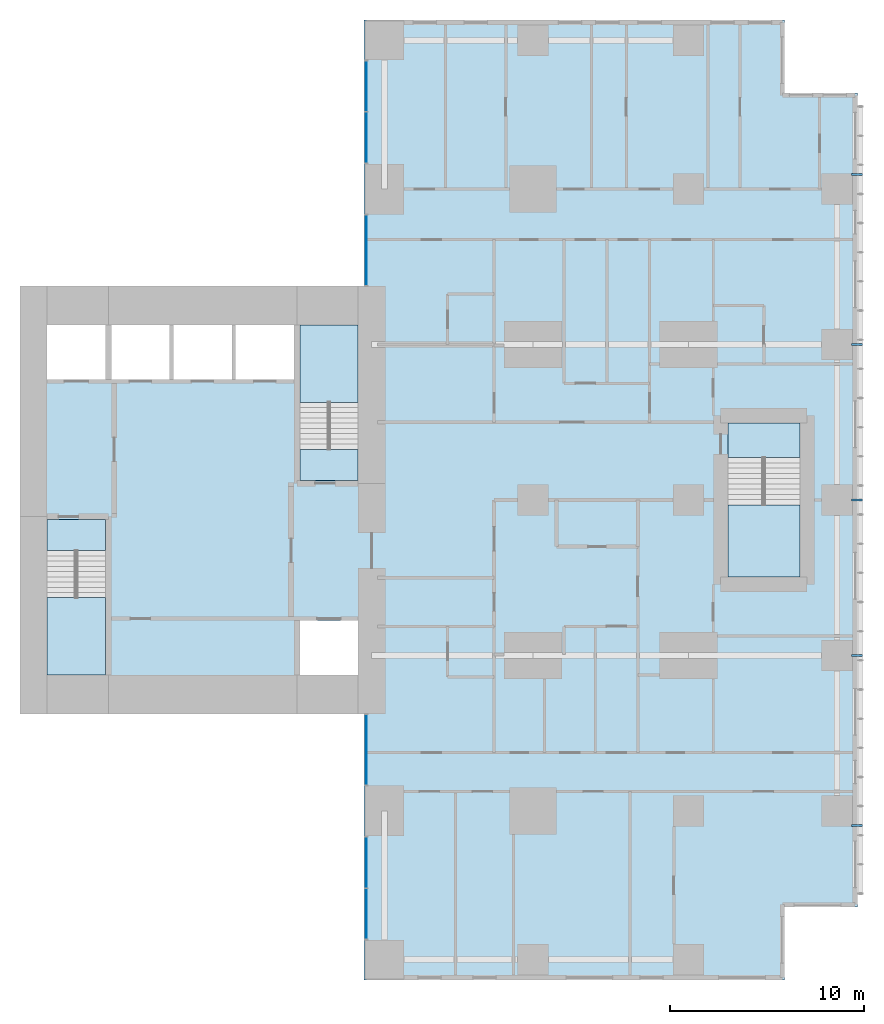
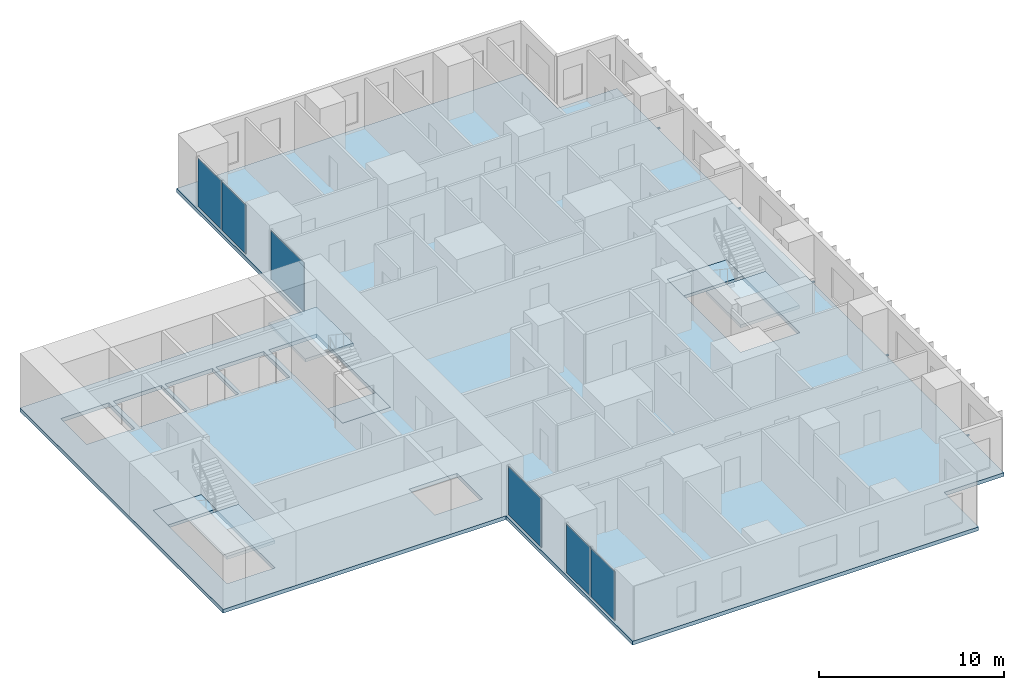
# One storey, part 4 of 12: 7 slabs, 6 plates, 5 members, 7 elements without a shape of their own.
"""IFC4 building model written with IfcOpenShell, lengths in metres."""

import ifcopenshell
import ifcopenshell.guid

model = None  # the IFC model being written
_history = None  # IfcOwnerHistory: only IFC2X3 demands one
_inside = {}  # id of a spatial element -> (the spatial element, [elements in it])
_under = {}  # id of a project, library or spatial element -> (it, [spatial elements below it])
_declared = {}  # id of a project -> (the project, [libraries it declares])
_typed = {}  # id of a type object -> (the type object, [elements of that type])
_made_of = {}  # id of a material, layer set ... -> (it, [elements and type objects made of it])


def new_model(schema):
    """Start an empty IFC model of exactly this schema.

    Asked for "IFC4X3", IfcOpenShell would pick the latest addendum, in which some entities
    have other attributes; the version numbers below select the first issue.
    IFC2X3 requires an IfcOwnerHistory on every rooted entity: one is made here for all.
    """
    global model, _history
    if schema == "IFC4X3":
        model = ifcopenshell.file(schema_version=(4, 3, 0, 0))
    else:
        model = ifcopenshell.file(schema=schema)
    _inside.clear()
    _under.clear()
    _declared.clear()
    _typed.clear()
    _made_of.clear()
    _history = None
    if model.schema == "IFC2X3":
        org = make("IfcOrganization", Name="unknown")
        user = make(
            "IfcPersonAndOrganization",
            ThePerson=make("IfcPerson", FamilyName="unknown"),
            TheOrganization=org,
        )
        app = make(
            "IfcApplication",
            ApplicationDeveloper=org,
            Version="unknown",
            ApplicationFullName="unknown",
            ApplicationIdentifier="unknown",
        )
        _history = make(
            "IfcOwnerHistory",
            OwningUser=user,
            OwningApplication=app,
            ChangeAction="ADDED",
            CreationDate=0,
        )
    return model


def make(cls, **values):
    """One entity of the class cls with the attributes given. An attribute that is None is left unset."""
    return model.create_entity(
        cls, **{name: value for name, value in values.items() if value is not None}
    )


def rooted(cls, **values):
    """An entity with a GlobalId (a new one), such as an element, a storey or a relation."""
    return make(cls, GlobalId=ifcopenshell.guid.new(), OwnerHistory=_history, **values)


def si_unit(unit_type, name, prefix=None):
    """IfcSIUnit, for example si_unit("LENGTHUNIT", "METRE", prefix="MILLI")."""
    return make("IfcSIUnit", UnitType=unit_type, Prefix=prefix, Name=name)


def assignment(units):
    """IfcUnitAssignment: the units of a project."""
    return None if units is None else make("IfcUnitAssignment", Units=units)


def point(xyz):
    """IfcCartesianPoint."""
    return None if xyz is None else make("IfcCartesianPoint", Coordinates=xyz)


def direction(xyz):
    """IfcDirection."""
    return None if xyz is None else make("IfcDirection", DirectionRatios=xyz)


def frame(location, z_axis=None, x_axis=None):
    """IfcAxis2Placement3D, a coordinate frame: its origin and axes. An axis left out is left unset."""
    return make(
        "IfcAxis2Placement3D",
        Location=point(location),
        Axis=direction(z_axis),
        RefDirection=direction(x_axis),
    )


def frame_2d(location, x_axis=None):
    """IfcAxis2Placement2D, a coordinate frame in the plane: its origin and x axis."""
    return make(
        "IfcAxis2Placement2D", Location=point(location), RefDirection=direction(x_axis)
    )


def origin():
    """The frame at (0, 0, 0) with its axes left unset."""
    return frame((0.0, 0.0, 0.0))


def origin_2d():
    """The frame at (0, 0) in the plane with its x axis left unset."""
    return frame_2d((0.0, 0.0))


def place(relative_to, where):
    """IfcLocalPlacement: puts the frame where relative to a parent placement (None: the world)."""
    return make(
        "IfcLocalPlacement", PlacementRelTo=relative_to, RelativePlacement=where
    )


def context(
    kind, dimensions, precision=None, world=None, true_north=None, identifier=None
):
    """IfcGeometricRepresentationContext, for example the 3D "Model" context."""
    return make(
        "IfcGeometricRepresentationContext",
        ContextIdentifier=identifier,
        ContextType=kind,
        CoordinateSpaceDimension=dimensions,
        Precision=precision,
        WorldCoordinateSystem=world,
        TrueNorth=true_north,
    )


def subcontext(parent, identifier, kind, view, scale=None):
    """IfcGeometricRepresentationSubContext, for example "Body" below "Model"."""
    return make(
        "IfcGeometricRepresentationSubContext",
        ContextIdentifier=identifier,
        ContextType=kind,
        ParentContext=parent,
        TargetScale=scale,
        TargetView=view,
    )


def project(units=None, contexts=None):
    """IfcProject with its units and contexts."""
    return rooted(
        "IfcProject",
        Name="project",
        RepresentationContexts=contexts,
        UnitsInContext=assignment(units),
    )


def spatial(cls, under=None, at=None, **own):
    """A site, building, storey or space (cls), placed at a placement, below another one or the project."""
    s = rooted(cls, ObjectPlacement=at, **own)
    if under is not None:
        _under.setdefault(under.id(), (under, []))[1].append(s)
    return s


def polyline(points):
    """IfcPolyline through the points."""
    return make("IfcPolyline", Points=[point(p) for p in points])


def profile(cls, at=None, kind="AREA", **sizes):
    """A parametric profile (cls). Its sizes go by their IFC names, for example OverallWidth=200.0."""
    return make(cls, ProfileType=kind, Position=at, **sizes)


def rectangle(**sizes):
    """IfcRectangleProfileDef."""
    return profile("IfcRectangleProfileDef", **sizes)


def hollow_rectangle(**sizes):
    """IfcRectangleHollowProfileDef."""
    return profile("IfcRectangleHollowProfileDef", **sizes)


def outline(outer, holes=None, kind="AREA"):
    """IfcArbitraryClosedProfileDef: a profile drawn as a closed curve; with holes, ...WithVoids."""
    if holes is None:
        return make("IfcArbitraryClosedProfileDef", ProfileType=kind, OuterCurve=outer)
    return make(
        "IfcArbitraryProfileDefWithVoids",
        ProfileType=kind,
        OuterCurve=outer,
        InnerCurves=holes,
    )


def extrude(swept, where, along, depth):
    """IfcExtrudedAreaSolid: the profile swept, set in the frame where, extruded along a direction by depth."""
    return make(
        "IfcExtrudedAreaSolid",
        SweptArea=swept,
        Position=where,
        ExtrudedDirection=direction(along),
        Depth=depth,
    )


def shape(context_of_items, identifier, shape_type, items):
    """IfcShapeRepresentation: the items that make up one representation, for example the "Body"."""
    return make(
        "IfcShapeRepresentation",
        ContextOfItems=context_of_items,
        RepresentationIdentifier=identifier,
        RepresentationType=shape_type,
        Items=items,
    )


def material(Name=None, Category=None):
    """IfcMaterial."""
    return make("IfcMaterial", Name=Name, Category=Category)


def layer(
    of_material, thickness, ventilated=None, Name=None, Category=None, Priority=None
):
    """IfcMaterialLayer: one layer of a wall or slab, of a material (None: an air gap)."""
    return make(
        "IfcMaterialLayer",
        Material=of_material,
        LayerThickness=thickness,
        IsVentilated=ventilated,
        Name=Name,
        Category=Category,
        Priority=Priority,
    )


def layer_set(layers, Name=None):
    """IfcMaterialLayerSet."""
    return make("IfcMaterialLayerSet", MaterialLayers=layers, LayerSetName=Name)


def material_profile(
    of_material, cross_section, Name=None, Category=None, Priority=None
):
    """IfcMaterialProfile: a cross section and its material."""
    return make(
        "IfcMaterialProfile",
        Name=Name,
        Material=of_material,
        Profile=cross_section,
        Priority=Priority,
        Category=Category,
    )


def profile_set(profiles, Name=None, composite=None):
    """IfcMaterialProfileSet."""
    return make(
        "IfcMaterialProfileSet",
        Name=Name,
        MaterialProfiles=profiles,
        CompositeProfile=composite,
    )


def made_of(thing, what):
    """Note that an element or type object is made of a material, layer set ...; save() writes the relation."""
    if what is not None:
        _made_of.setdefault(what.id(), (what, []))[1].append(thing)
    return thing


def type_object(cls, material=None, **own):
    """A type object (cls), such as IfcWallType, which elements share."""
    return made_of(rooted(cls, **own), material)


def element(
    cls,
    number,
    at=None,
    inside=None,
    cuts=None,
    type_object=None,
    material=None,
    context=None,
    identifier="Body",
    shape_type=None,
    held_by="IfcProductDefinitionShape",
    body=None,
    shapes=None,
    **own,
):
    """One element of the class cls, such as IfcWall. Its Tag is "e" and its number.

    at: its placement. inside: the storey or other place that contains it. cuts: it is an
    opening in that element (IfcRelVoidsElement). A single representation is given by context,
    identifier, shape_type and body (its items); several are given by shapes. held_by: the class
    of the entity that holds the representations. save() writes the other relations.
    """
    e = rooted(cls, Tag="e%d" % number, ObjectPlacement=at, **own)
    if body is not None:
        shapes = [shape(context, identifier, shape_type, body)]
    if shapes is not None:
        e.Representation = make(held_by, Representations=shapes)
    if inside is not None:
        _inside.setdefault(inside.id(), (inside, []))[1].append(e)
    if cuts is not None:
        rooted(
            "IfcRelVoidsElement", RelatingBuildingElement=cuts, RelatedOpeningElement=e
        )
    if type_object is not None:
        _typed.setdefault(type_object.id(), (type_object, []))[1].append(e)
    return made_of(e, material)


def aggregate(whole, parts):
    """IfcRelAggregates: a whole, such as a stair, and the parts it consists of."""
    return rooted("IfcRelAggregates", RelatingObject=whole, RelatedObjects=parts)


def save(model, path):
    """Write the relations noted so far, then the file.

    IfcRelAggregates (storeys below a building ...), IfcRelContainedInSpatialStructure (elements
    in a storey), IfcRelDefinesByType, IfcRelAssociatesMaterial and IfcRelDeclares: one each for
    every whole, place, type object, material and project.
    """
    for whole, parts in _under.values():
        aggregate(whole, parts)
    for where, things in _inside.values():
        rooted(
            "IfcRelContainedInSpatialStructure",
            RelatedElements=things,
            RelatingStructure=where,
        )
    for kind, things in _typed.values():
        rooted("IfcRelDefinesByType", RelatedObjects=things, RelatingType=kind)
    for what, things in _made_of.values():
        rooted("IfcRelAssociatesMaterial", RelatedObjects=things, RelatingMaterial=what)
    for by, libraries in _declared.values():
        rooted("IfcRelDeclares", RelatingContext=by, RelatedDefinitions=libraries)
    model.write(path)


model = new_model("IFC4")

# Units and contexts
model_context = context("Model", 3, precision=1e-05, world=origin(), true_north=direction((0.0, 1.0)))
body_context = subcontext(model_context, "Body", "Model", "MODEL_VIEW")
ifc_project = project(units=[si_unit("LENGTHUNIT", "METRE"), si_unit("AREAUNIT", "SQUARE_METRE"), si_unit("VOLUMEUNIT", "CUBIC_METRE"), si_unit("PLANEANGLEUNIT", "RADIAN"), si_unit("MASSUNIT", "GRAM", prefix="KILO")], contexts=[model_context])

# Site, building, storey
site_placement = place(None, origin())
site = spatial("IfcSite", under=ifc_project, at=site_placement, CompositionType="ELEMENT")
building_placement = place(site_placement, origin())
building = spatial("IfcBuilding", under=site, at=building_placement, Name="Cleftline Residences", CompositionType="ELEMENT")
storey_placement = place(building_placement, frame((0.0, 0.0, 234.0)))
storey = spatial("IfcBuildingStorey", under=building, at=storey_placement, Name="L61", CompositionType="ELEMENT", Elevation=234.0)

# Members
ifc_material_1 = material(Name="Steel S355, hot-dip galvanised", Category="steel")
ifc_material_profile = material_profile(ifc_material_1, hollow_rectangle(XDim=0.10009765625, YDim=0.10009765625, WallThickness=0.008056640625, InnerFilletRadius=0.008056640625, OuterFilletRadius=0.011962890625, at=origin_2d()))
ifc_profile_set = profile_set([ifc_material_profile], Name="Steel S355, hot-dip galvanised")
member_type = type_object("IfcMemberType", Name="BAGUETTE BRACKET SHS 100X100X8", PredefinedType="USERDEFINED", material=ifc_profile_set)
for number, where, z_axis, x_axis, name in (
    (1, (66.39990234375, 7.25, -0.14990234375), (1.0, 0.0, 0.0), (0.0, 1.0, 0.0), "Baguette bracket"),
    (2, (66.39990234375, 16.0, -0.14990234375), (1.0, 0.0, 0.0), (0.0, 1.0, 0.0), "Baguette bracket"),
    (3, (66.39990234375, 24.0, -0.14990234375), (1.0, 0.0, 0.0), (0.0, 1.0, 0.0), "Baguette bracket"),
    (4, (66.39990234375, 32.0, -0.14990234375), (1.0, 0.0, 0.0), (0.0, 1.0, 0.0), "Baguette bracket"),
    (5, (66.39990234375, 40.75, -0.14990234375), (1.0, 0.0, 0.0), (0.0, 1.0, 0.0), "Baguette bracket"),
):
    element("IfcMember", number, at=place(storey_placement, frame(where, z_axis=z_axis, x_axis=x_axis)), inside=storey, type_object=member_type, Name=name, ObjectType="BAGUETTE BRACKET", PredefinedType="USERDEFINED", context=body_context, shape_type="SweptSolid", body=[
        extrude(hollow_rectangle(XDim=0.10009765625, YDim=0.10009765625, WallThickness=0.008056640625, InnerFilletRadius=0.008056640625, OuterFilletRadius=0.011962890625, at=origin_2d()), origin(), (0.0, 0.0, 1.0), 0.550048828125),
    ])

# Curtain wall, plate
ifc_material_2 = material(Name="Aluminium framed curtain wall", Category="aluminium")
ifc_layer_1 = layer(ifc_material_2, 0.199951171875)
ifc_layer_set_1 = layer_set([ifc_layer_1], Name="CW1 CLEFT GLAZING")
curtain_wall_type = type_object("IfcCurtainWallType", Name="CW1 CLEFT GLAZING", PredefinedType="NOTDEFINED", material=ifc_layer_set_1)
curtain_wall_1_placement = place(storey_placement, origin())
curtain_wall_1 = element("IfcCurtainWall", 6, at=curtain_wall_1_placement, inside=storey, type_object=curtain_wall_type, Name="Curtain wall CW1", PredefinedType="NOTDEFINED")
ifc_material_3 = material(Name="Laminated clear glass", Category="glass")
ifc_layer_2 = layer(ifc_material_3, 0.028076171875)
ifc_layer_set_2 = layer_set([ifc_layer_2], Name="CW1 GLASS PANEL")
plate_type = type_object("IfcPlateType", Name="CW1 GLASS PANEL", PredefinedType="CURTAIN_PANEL", material=ifc_layer_set_2)
plate_1_placement = place(storey_placement, frame((41.425048828125, 11.14990234375, 0.06005859375), z_axis=(0.0, 0.0, 1.0), x_axis=(0.0, -1.0, 0.0)))
plate_1 = element("IfcPlate", 7, at=plate_1_placement, type_object=plate_type, Name="CW1 panel 1.1", PredefinedType="CURTAIN_PANEL", context=body_context, shape_type="SweptSolid", body=[
    extrude(rectangle(XDim=3.580078125, YDim=0.028076171875, at=origin_2d()), origin(), (0.0, 0.0, 1.0), 3.22998046875),
])
aggregate(curtain_wall_1, [plate_1])

# Curtain wall, plates
curtain_wall_2_placement = place(storey_placement, origin())
curtain_wall_2 = element("IfcCurtainWall", 8, at=curtain_wall_2_placement, inside=storey, type_object=curtain_wall_type, Name="Curtain wall CW1", PredefinedType="NOTDEFINED")
plate_2_placement = place(storey_placement, frame((41.425048828125, 5.347412109375, 0.06005859375), z_axis=(0.0, 0.0, 1.0), x_axis=(0.0, -1.0, 0.0)))
plate_2 = element("IfcPlate", 9, at=plate_2_placement, type_object=plate_type, Name="CW1 panel 1.1", PredefinedType="CURTAIN_PANEL", context=body_context, shape_type="SweptSolid", body=[
    extrude(rectangle(XDim=2.5849609375, YDim=0.028076171875, at=origin_2d()), origin(), (0.0, 0.0, 1.0), 3.22998046875),
])
plate_3_placement = place(storey_placement, frame((41.425048828125, 2.702392578125, 0.06005859375), z_axis=(0.0, 0.0, 1.0), x_axis=(0.0, -1.0, 0.0)))
plate_3 = element("IfcPlate", 10, at=plate_3_placement, type_object=plate_type, Name="CW1 panel 2.1", PredefinedType="CURTAIN_PANEL", context=body_context, shape_type="SweptSolid", body=[
    extrude(rectangle(XDim=2.5849609375, YDim=0.028076171875, at=origin_2d()), origin(), (0.0, 0.0, 1.0), 3.22998046875),
])
aggregate(curtain_wall_2, [plate_2, plate_3])

curtain_wall_3_placement = place(storey_placement, origin())
curtain_wall_3 = element("IfcCurtainWall", 11, at=curtain_wall_3_placement, inside=storey, type_object=curtain_wall_type, Name="Curtain wall CW1", PredefinedType="NOTDEFINED")
plate_4_placement = place(storey_placement, frame((41.425048828125, 45.297607421875, 0.06005859375), z_axis=(0.0, 0.0, 1.0), x_axis=(0.0, -1.0, 0.0)))
plate_4 = element("IfcPlate", 12, at=plate_4_placement, type_object=plate_type, Name="CW1 panel 1.1", PredefinedType="CURTAIN_PANEL", context=body_context, shape_type="SweptSolid", body=[
    extrude(rectangle(XDim=2.5849609375, YDim=0.028076171875, at=origin_2d()), origin(), (0.0, 0.0, 1.0), 3.22998046875),
])
plate_5_placement = place(storey_placement, frame((41.425048828125, 42.652587890625, 0.06005859375), z_axis=(0.0, 0.0, 1.0), x_axis=(0.0, -1.0, 0.0)))
plate_5 = element("IfcPlate", 13, at=plate_5_placement, type_object=plate_type, Name="CW1 panel 2.1", PredefinedType="CURTAIN_PANEL", context=body_context, shape_type="SweptSolid", body=[
    extrude(rectangle(XDim=2.5849609375, YDim=0.028076171875, at=origin_2d()), origin(), (0.0, 0.0, 1.0), 3.22998046875),
])
aggregate(curtain_wall_3, [plate_4, plate_5])

# Curtain wall, plate
curtain_wall_4_placement = place(storey_placement, origin())
curtain_wall_4 = element("IfcCurtainWall", 14, at=curtain_wall_4_placement, inside=storey, type_object=curtain_wall_type, Name="Curtain wall CW1", PredefinedType="NOTDEFINED")
plate_6_placement = place(storey_placement, frame((41.425048828125, 36.85009765625, 0.06005859375), z_axis=(0.0, 0.0, 1.0), x_axis=(0.0, -1.0, 0.0)))
plate_6 = element("IfcPlate", 15, at=plate_6_placement, type_object=plate_type, Name="CW1 panel 1.1", PredefinedType="CURTAIN_PANEL", context=body_context, shape_type="SweptSolid", body=[
    extrude(rectangle(XDim=3.580078125, YDim=0.028076171875, at=origin_2d()), origin(), (0.0, 0.0, 1.0), 3.22998046875),
])
aggregate(curtain_wall_4, [plate_6])

# Slab
ifc_material_4 = material(Name="Concrete B45", Category="concrete")
ifc_layer_3 = layer(ifc_material_4, 0.25)
ifc_layer_set_3 = layer_set([ifc_layer_3], Name="FLOOR SLAB 250")
slab_type_1 = type_object("IfcSlabType", Name="FLOOR SLAB 250", PredefinedType="FLOOR", material=ifc_layer_set_3)
slab_1_placement = place(storey_placement, frame((0.0, 0.0, -0.25)))
element("IfcSlab", 16, at=slab_1_placement, inside=storey, type_object=slab_type_1, Name="Floor slab L61", PredefinedType="FLOOR", context=body_context, shape_type="SweptSolid", body=[
    extrude(outline(polyline([(41.300048828125, 13.0), (41.300048828125, -0.699951171875), (62.949951171875, -0.699951171875), (62.949951171875, 3.050048828125), (66.699951171875, 3.050048828125), (66.699951171875, 44.949951171875), (62.949951171875, 44.949951171875), (62.949951171875, 48.699951171875), (41.300048828125, 48.699951171875), (41.300048828125, 35.0), (23.60009765625, 35.0), (23.60009765625, 13.0), (41.300048828125, 13.0)]), holes=[polyline([(28.0, 15.0), (28.0, 23.0), (25.0, 23.0), (25.0, 15.0), (28.0, 15.0)]), polyline([(41.0, 25.0), (41.0, 33.0), (38.0, 33.0), (38.0, 25.0), (41.0, 25.0)]), polyline([(28.0, 30.199951171875), (28.0, 33.0), (25.0, 33.0), (25.0, 30.199951171875), (28.0, 30.199951171875)]), polyline([(41.0, 15.0), (41.0, 17.800048828125), (38.0, 17.800048828125), (38.0, 15.0), (41.0, 15.0)]), polyline([(31.300048828125, 30.199951171875), (31.300048828125, 33.0), (28.300048828125, 33.0), (28.300048828125, 30.199951171875), (31.300048828125, 30.199951171875)]), polyline([(34.5, 30.199951171875), (34.5, 33.0), (31.5, 33.0), (31.5, 30.199951171875), (34.5, 30.199951171875)]), polyline([(37.699951171875, 30.199951171875), (37.699951171875, 33.0), (34.699951171875, 33.0), (34.699951171875, 30.199951171875), (37.699951171875, 30.199951171875)]), polyline([(63.72509765625, 20.02490234375), (63.72509765625, 27.97509765625), (60.02490234375, 27.97509765625), (60.02490234375, 20.02490234375), (63.72509765625, 20.02490234375)])]), origin(), (0.0, 0.0, 1.0), 0.25),
])

# Stair, slabs
ifc_material_5 = material(Name="Concrete B45, stone treads", Category="masonry")
stair_type_1 = type_object("IfcStairType", Name="STAIR A 1450 WIDE 180 RISER", PredefinedType="HALF_TURN_STAIR", material=ifc_material_5)
stair_1_placement = place(storey_placement, origin())
stair_1 = element("IfcStair", 17, at=stair_1_placement, inside=storey, type_object=stair_type_1, Name="Stair A L61", PredefinedType="HALF_TURN_STAIR")
ifc_material_6 = material(Name="Concrete B45", Category="concrete")
ifc_layer_4 = layer(ifc_material_6, 0.199951171875)
ifc_layer_set_4 = layer_set([ifc_layer_4], Name="STAIR LANDING 200")
slab_type_2 = type_object("IfcSlabType", Name="STAIR LANDING 200", PredefinedType="LANDING", material=ifc_layer_set_4)
slab_2_placement = place(storey_placement, frame((0.0, 0.0, -0.199951171875)))
slab_2 = element("IfcSlab", 18, at=slab_2_placement, type_object=slab_type_2, Name="ST-A landing 1", PredefinedType="LANDING", context=body_context, shape_type="SweptSolid", body=[
    extrude(outline(polyline([(25.0, 21.39990234375), (28.0, 21.39990234375), (28.0, 23.0), (25.0, 23.0), (25.0, 21.39990234375)])), origin(), (0.0, 0.0, 1.0), 0.199951171875),
])
slab_3_placement = place(storey_placement, frame((0.0, 0.0, 1.60009765625)))
slab_3 = element("IfcSlab", 19, at=slab_3_placement, type_object=slab_type_2, Name="ST-A landing 2", PredefinedType="LANDING", context=body_context, shape_type="SweptSolid", body=[
    extrude(outline(polyline([(25.0, 15.0), (28.0, 15.0), (28.0, 18.969970703125), (25.0, 18.969970703125), (25.0, 15.0)])), origin(), (0.0, 0.0, 1.0), 0.199951171875),
])
aggregate(stair_1, [slab_2, slab_3])

ifc_material_7 = material(Name="Concrete B45, stone treads", Category="masonry")
stair_type_2 = type_object("IfcStairType", Name="STAIR B 1450 WIDE 180 RISER", PredefinedType="HALF_TURN_STAIR", material=ifc_material_7)
stair_2_placement = place(storey_placement, origin())
stair_2 = element("IfcStair", 20, at=stair_2_placement, inside=storey, type_object=stair_type_2, Name="Stair B L61", PredefinedType="HALF_TURN_STAIR")
slab_4_placement = place(storey_placement, frame((0.0, 0.0, -0.199951171875)))
slab_4 = element("IfcSlab", 21, at=slab_4_placement, type_object=slab_type_2, Name="ST-B landing 1", PredefinedType="LANDING", context=body_context, shape_type="SweptSolid", body=[
    extrude(outline(polyline([(38.0, 25.0), (41.0, 25.0), (41.0, 26.60009765625), (38.0, 26.60009765625), (38.0, 25.0)])), origin(), (0.0, 0.0, 1.0), 0.199951171875),
])
slab_5_placement = place(storey_placement, frame((0.0, 0.0, 1.60009765625)))
slab_5 = element("IfcSlab", 22, at=slab_5_placement, type_object=slab_type_2, Name="ST-B landing 2", PredefinedType="LANDING", context=body_context, shape_type="SweptSolid", body=[
    extrude(outline(polyline([(38.0, 29.030029296875), (41.0, 29.030029296875), (41.0, 33.0), (38.0, 33.0), (38.0, 29.030029296875)])), origin(), (0.0, 0.0, 1.0), 0.199951171875),
])
aggregate(stair_2, [slab_4, slab_5])

ifc_material_8 = material(Name="Concrete B45, stone treads", Category="masonry")
stair_type_3 = type_object("IfcStairType", Name="STAIR E 1800 WIDE 180 RISER", PredefinedType="HALF_TURN_STAIR", material=ifc_material_8)
stair_3_placement = place(storey_placement, origin())
stair_3 = element("IfcStair", 23, at=stair_3_placement, inside=storey, type_object=stair_type_3, Name="Stair E L61", PredefinedType="HALF_TURN_STAIR")
slab_6_placement = place(storey_placement, frame((0.0, 0.0, -0.199951171875)))
slab_6 = element("IfcSlab", 24, at=slab_6_placement, type_object=slab_type_2, Name="ST-E landing 1", PredefinedType="LANDING", context=body_context, shape_type="SweptSolid", body=[
    extrude(outline(polyline([(60.02490234375, 26.175048828125), (63.72509765625, 26.175048828125), (63.72509765625, 27.97509765625), (60.02490234375, 27.97509765625), (60.02490234375, 26.175048828125)])), origin(), (0.0, 0.0, 1.0), 0.199951171875),
])
slab_7_placement = place(storey_placement, frame((0.0, 0.0, 1.60009765625)))
slab_7 = element("IfcSlab", 25, at=slab_7_placement, type_object=slab_type_2, Name="ST-E landing 2", PredefinedType="LANDING", context=body_context, shape_type="SweptSolid", body=[
    extrude(outline(polyline([(60.02490234375, 20.02490234375), (63.72509765625, 20.02490234375), (63.72509765625, 23.7451171875), (60.02490234375, 23.7451171875), (60.02490234375, 20.02490234375)])), origin(), (0.0, 0.0, 1.0), 0.199951171875),
])
aggregate(stair_3, [slab_6, slab_7])

save(model, "model.ifc")
